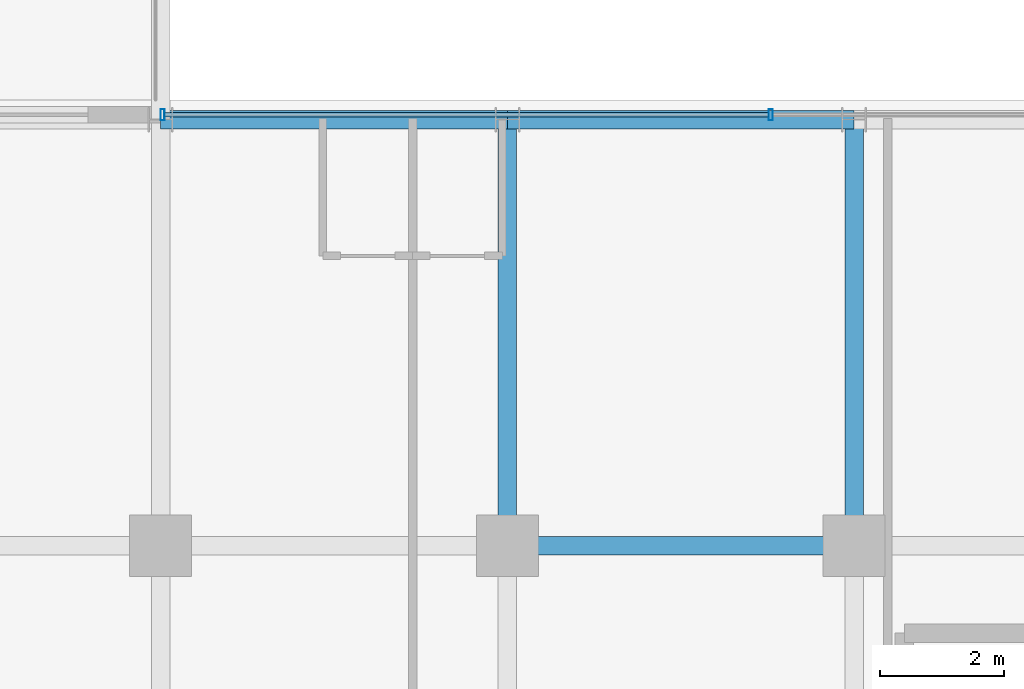
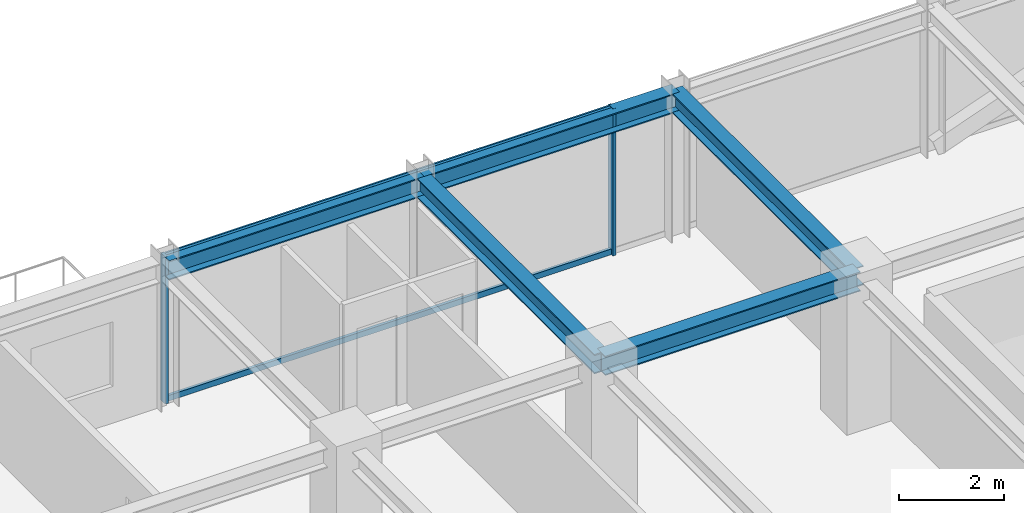
# One storey, part 23 of 36: 5 beams, 4 members, 1 element without a shape of its own.
"""IFC4 building model written with IfcOpenShell, lengths in metres."""

from ifc_helpers import new_model, si_unit, direction, frame, origin, origin_2d, place, context, subcontext, project, spatial, hollow_rectangle, i_section, extrude, source, transform, mapped, material, material_profile, profile_set, type_object, element, aggregate, save


model = new_model("IFC4")

# Units and contexts
model_context = context("Model", 3, precision=1e-05, world=origin(), true_north=direction((0.0, 1.0)))
body_context = subcontext(model_context, "Body", "Model", "MODEL_VIEW")
ifc_project = project(units=[si_unit("LENGTHUNIT", "METRE"), si_unit("AREAUNIT", "SQUARE_METRE"), si_unit("VOLUMEUNIT", "CUBIC_METRE"), si_unit("PLANEANGLEUNIT", "RADIAN"), si_unit("MASSUNIT", "GRAM", prefix="KILO")], contexts=[model_context])

# Site, building, storey
site_placement = place(None, origin())
site = spatial("IfcSite", under=ifc_project, at=site_placement, CompositionType="ELEMENT")
building_placement = place(site_placement, origin())
building = spatial("IfcBuilding", under=site, at=building_placement, Name="Nahalor Promenade Grand Hotel", CompositionType="ELEMENT")
storey_placement = place(building_placement, frame((0.0, 0.0, 241.89990234375)))
storey = spatial("IfcBuildingStorey", under=building, at=storey_placement, Name="L62", CompositionType="ELEMENT", Elevation=241.89990234375)

# Beams
ifc_material_1 = material(Name="Steel S355JR", Category="steel")
ifc_material_profile_1 = material_profile(ifc_material_1, i_section(OverallWidth=0.3, OverallDepth=0.45, WebThickness=0.014, FlangeThickness=0.026, at=origin_2d()), Name="HEB 450")
ifc_profile_set_1 = profile_set([ifc_material_profile_1], Name="Steel S355JR")
beam_type_1 = type_object("IfcBeamType", Name="Beam-Spandrel-HEB450", PredefinedType="SPANDREL", material=ifc_profile_set_1)
shared_shape_1 = source(origin(), body_context, "Body", "SweptSolid", [
    extrude(i_section(OverallWidth=0.3, OverallDepth=0.45, WebThickness=0.014, FlangeThickness=0.026, at=origin_2d()), origin(), (0.0, 0.0, 1.0), 5.599853515625),
])
beam_1_placement = place(storey_placement, frame((-8.39990234375, 23.8798828125, 3.18505859375), z_axis=(1.0, 0.0, 0.0), x_axis=(0.0, 1.0, 0.0)))
element("IfcBeam", 1, at=beam_1_placement, inside=storey, type_object=beam_type_1, Name="BM-L62-SP-N-1", PredefinedType="SPANDREL", context=body_context, shape_type="MappedRepresentation", body=[
    mapped(shared_shape_1, transform((0.0, 0.0, 0.0), scale=1.0)),
])
shared_shape_2 = source(origin(), body_context, "Body", "SweptSolid", [
    extrude(i_section(OverallWidth=0.3, OverallDepth=0.45, WebThickness=0.014, FlangeThickness=0.026, at=origin_2d()), origin(), (0.0, 0.0, 1.0), 5.60009765625),
])
beam_2_placement = place(storey_placement, frame((-2.800048828125, 23.8798828125, 3.18505859375), z_axis=(1.0, 0.0, 0.0), x_axis=(0.0, 1.0, 0.0)))
element("IfcBeam", 2, at=beam_2_placement, inside=storey, type_object=beam_type_1, Name="BM-L62-SP-N-2", PredefinedType="SPANDREL", context=body_context, shape_type="MappedRepresentation", body=[
    mapped(shared_shape_2, transform((0.0, 0.0, 0.0), scale=1.0)),
])
ifc_material_profile_2 = material_profile(ifc_material_1, i_section(OverallWidth=0.3, OverallDepth=0.45, WebThickness=0.014, FlangeThickness=0.026, at=origin_2d()), Name="HEB 450")
ifc_profile_set_2 = profile_set([ifc_material_profile_2], Name="Steel S355JR")
beam_type_2 = type_object("IfcBeamType", Name="Beam-Girder-HEB450", PredefinedType="BEAM", material=ifc_profile_set_2)
shared_shape_3 = source(origin(), body_context, "Body", "SweptSolid", [
    extrude(i_section(OverallWidth=0.3, OverallDepth=0.45, WebThickness=0.014, FlangeThickness=0.026, at=origin_2d()), origin(), (0.0, 0.0, 1.0), 6.8798828125),
])
for number, where, z_axis, x_axis, name in (
    (3, (-2.800048828125, 17.0, 3.18505859375), (0.0, 1.0, 0.0), (-1.0, 0.0, 0.0), "BM-L62-GY-2-4"),
    (4, (2.800048828125, 17.0, 3.18505859375), (0.0, 1.0, 0.0), (-1.0, 0.0, 0.0), "BM-L62-GY-3-4"),
):
    element("IfcBeam", number, at=place(storey_placement, frame(where, z_axis=z_axis, x_axis=x_axis)), inside=storey, type_object=beam_type_2, Name=name, PredefinedType="BEAM", context=body_context, shape_type="MappedRepresentation", body=[
        mapped(shared_shape_3, transform((0.0, 0.0, 0.0), scale=1.0)),
    ])
shared_shape_4 = source(origin(), body_context, "Body", "SweptSolid", [
    extrude(i_section(OverallWidth=0.3, OverallDepth=0.45, WebThickness=0.014, FlangeThickness=0.026, at=origin_2d()), origin(), (0.0, 0.0, 1.0), 5.60009765625),
])
beam_3_placement = place(storey_placement, frame((-2.800048828125, 17.0, 3.18505859375), z_axis=(1.0, 0.0, 0.0), x_axis=(0.0, 1.0, 0.0)))
element("IfcBeam", 5, at=beam_3_placement, inside=storey, type_object=beam_type_2, Name="BM-L62-GX-3-3", PredefinedType="BEAM", context=body_context, shape_type="MappedRepresentation", body=[
    mapped(shared_shape_4, transform((0.0, 0.0, 0.0), scale=1.0)),
])

# Curtain wall, members
ifc_material_2 = material(Name="Anodised Bronze Aluminium EN AW-6063 T6", Category="aluminium")
curtain_wall_type = type_object("IfcCurtainWallType", Name="CW2 Typical Hotel Flush Bronze Unitised Curtain Wall", PredefinedType="USERDEFINED", material=ifc_material_2)
curtain_wall_placement = place(storey_placement, origin())
curtain_wall = element("IfcCurtainWall", 6, at=curtain_wall_placement, inside=storey, type_object=curtain_wall_type, Name="L62 Curtain Wall CW-L62-N-3", ObjectType="UNITISED_CURTAIN_WALL", PredefinedType="USERDEFINED")
ifc_material_profile_3 = material_profile(ifc_material_2, hollow_rectangle(XDim=0.065, YDim=0.18, WallThickness=0.004, at=origin_2d()), Name="CWM 65x180x4")
ifc_profile_set_3 = profile_set([ifc_material_profile_3], Name="Anodised Bronze Aluminium EN AW-6063 T6")
member_type_1 = type_object("IfcMemberType", Name="CWM2 Typical Bronze Mullion 65x180", PredefinedType="MULLION", material=ifc_profile_set_3)
shared_shape_5 = source(origin(), body_context, "Body", "SweptSolid", [
    extrude(hollow_rectangle(XDim=0.065, YDim=0.18, WallThickness=0.004, at=origin_2d()), origin(), (0.0, 0.0, 1.0), 3.41015625),
])
member_1_placement = place(storey_placement, frame((-8.367431640625, 23.9599609375, 0.0), z_axis=(0.0, 0.0, 1.0), x_axis=(1.0, 0.0, 0.0)))
member_1 = element("IfcMember", 7, at=member_1_placement, type_object=member_type_1, Name="CW-L62-N-3 Mullion 0", PredefinedType="MULLION", context=body_context, shape_type="MappedRepresentation", body=[
    mapped(shared_shape_5, transform((0.0, 0.0, 0.0), scale=1.0)),
])
member_2_placement = place(storey_placement, frame((1.453369140625, 23.9599609375, 0.0), z_axis=(0.0, 0.0, 1.0), x_axis=(1.0, 0.0, 0.0)))
member_2 = element("IfcMember", 8, at=member_2_placement, type_object=member_type_1, Name="CW-L62-N-3 Mullion 1", PredefinedType="MULLION", context=body_context, shape_type="MappedRepresentation", body=[
    mapped(shared_shape_5, transform((0.0, 0.0, 0.0), scale=1.0)),
])
ifc_material_profile_4 = material_profile(ifc_material_2, hollow_rectangle(XDim=0.065, YDim=0.13, WallThickness=0.004, at=origin_2d()), Name="CWT 65x130x4")
ifc_profile_set_4 = profile_set([ifc_material_profile_4], Name="Anodised Bronze Aluminium EN AW-6063 T6")
member_type_2 = type_object("IfcMemberType", Name="CWT2 Typical Bronze Transom 65x130", PredefinedType="USERDEFINED", material=ifc_profile_set_4)
shared_shape_6 = source(origin(), body_context, "Body", "SweptSolid", [
    extrude(hollow_rectangle(XDim=0.065, YDim=0.13, WallThickness=0.004, at=origin_2d()), origin(), (0.0, 0.0, 1.0), 9.755859375),
])
member_3_placement = place(storey_placement, frame((-8.3349609375, 23.9599609375, 0.065185546875), z_axis=(1.0, 0.0, 0.0), x_axis=(0.0, 1.0, 0.0)))
member_3 = element("IfcMember", 9, at=member_3_placement, type_object=member_type_2, Name="CW-L62-N-3 Transom 0-0", ObjectType="TRANSOM", PredefinedType="USERDEFINED", context=body_context, shape_type="MappedRepresentation", body=[
    mapped(shared_shape_6, transform((0.0, 0.0, 0.0), scale=1.0)),
])
member_4_placement = place(storey_placement, frame((-8.3349609375, 23.9599609375, 3.34521484375), z_axis=(1.0, 0.0, 0.0), x_axis=(0.0, 1.0, 0.0)))
member_4 = element("IfcMember", 10, at=member_4_placement, type_object=member_type_2, Name="CW-L62-N-3 Transom 0-1", ObjectType="TRANSOM", PredefinedType="USERDEFINED", context=body_context, shape_type="MappedRepresentation", body=[
    mapped(shared_shape_6, transform((0.0, 0.0, 0.0), scale=1.0)),
])
aggregate(curtain_wall, [member_1, member_2, member_3, member_4])

save(model, "model.ifc")
